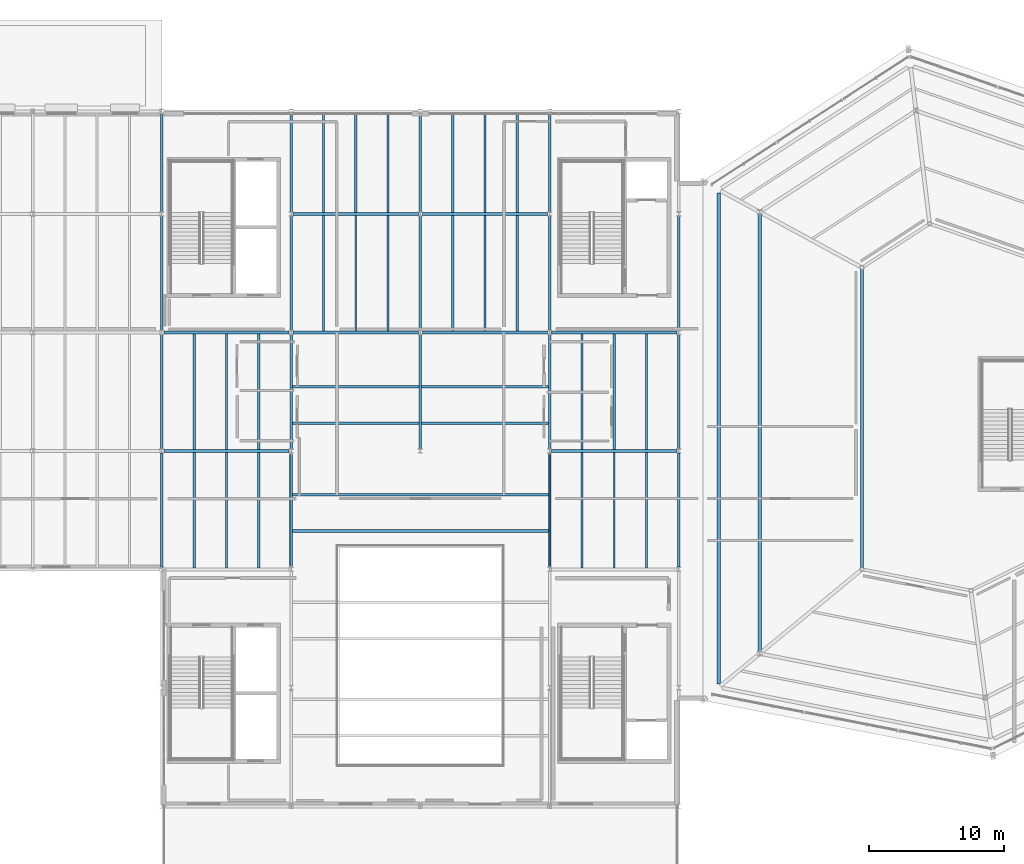
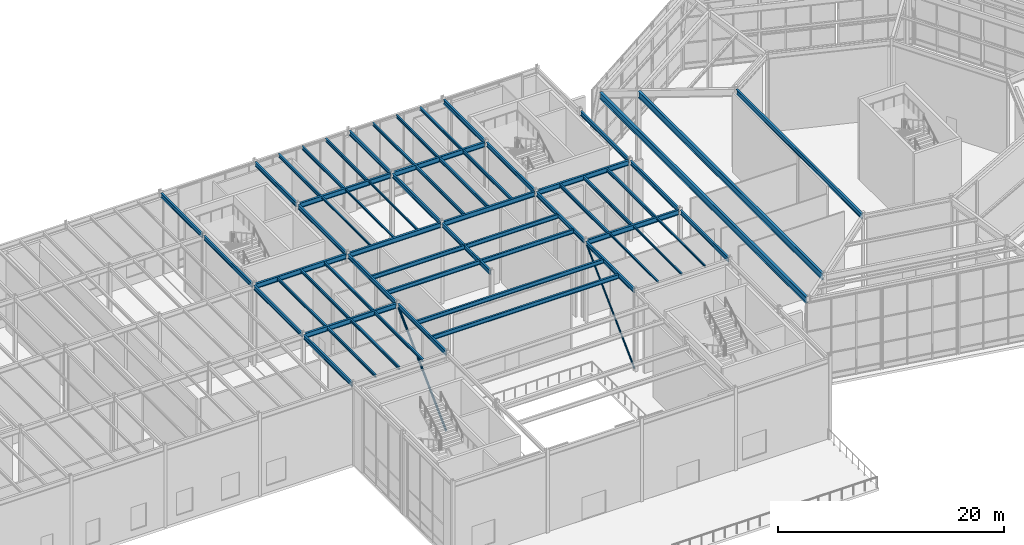
# One storey, part 16 of 48: 57 beams, 2 members.
"""IFC4 building model written with IfcOpenShell, lengths in metres."""

from ifc_helpers import new_model, si_unit, direction, frame, origin, origin_2d, place, context, subcontext, project, spatial, hollow_circle, i_section, extrude, material, material_profile, profile_set, type_object, element, save


model = new_model("IFC4")

# Units and contexts
model_context = context("Model", 3, precision=1e-05, world=origin(), true_north=direction((0.0, 1.0)))
body_context = subcontext(model_context, "Body", "Model", "MODEL_VIEW")
ifc_project = project(units=[si_unit("LENGTHUNIT", "METRE"), si_unit("AREAUNIT", "SQUARE_METRE"), si_unit("VOLUMEUNIT", "CUBIC_METRE"), si_unit("PLANEANGLEUNIT", "RADIAN"), si_unit("MASSUNIT", "GRAM", prefix="KILO")], contexts=[model_context])

# Site, building, storey
site_placement = place(None, origin())
site = spatial("IfcSite", under=ifc_project, at=site_placement, CompositionType="ELEMENT")
building_placement = place(site_placement, origin())
building = spatial("IfcBuilding", under=site, at=building_placement, Name="Sarnbrook Museum", CompositionType="ELEMENT")
storey_placement = place(building_placement, frame((0.0, 0.0, 19.10009765625)))
storey = spatial("IfcBuildingStorey", under=building, at=storey_placement, Name="L04", CompositionType="ELEMENT", Elevation=19.10009765625)

# Beams
ifc_material_1 = material(Name="Structural Steel Grade 300PLUS (AS/NZS 3679.1, fy = 280 MPa for 17 < t <= 40 mm, 300 MPa for t <= 17 mm)", Category="steel")
ifc_material_profile_1 = material_profile(ifc_material_1, i_section(OverallWidth=0.18994140625, OverallDepth=0.45703125, WebThickness=0.009033203125, FlangeThickness=0.014404296875, FilletRadius=0.011474609375, at=origin_2d()), Name="460UB74.6")
ifc_profile_set_1 = profile_set([ifc_material_profile_1], Name="Structural Steel Grade 300PLUS (AS/NZS 3679.1, fy = 280 MPa for 17 < t <= 40 mm, 300 MPa for t <= 17 mm)")
beam_type_1 = type_object("IfcBeamType", Name="BM-UB460", PredefinedType="BEAM", material=ifc_profile_set_1)
beam_1_placement = place(storey_placement, frame((80.800048828125, 74.5576171875, 8.521484375), z_axis=(0.0, 1.0, 0.0), x_axis=(-1.0, 0.0, 0.0)))
element("IfcBeam", 1, at=beam_1_placement, inside=storey, type_object=beam_type_1, Name="Girder 9:J-K L04", PredefinedType="BEAM", context=body_context, shape_type="SweptSolid", body=[
    extrude(i_section(OverallWidth=0.18994140625, OverallDepth=0.45703125, WebThickness=0.009033203125, FlangeThickness=0.014404296875, FilletRadius=0.011474609375, at=origin_2d()), origin(), (0.0, 0.0, 1.0), 8.48486328125),
])
for number, where, z_axis, x_axis, name in (
    (2, (80.800048828125, 83.357421875, 8.521484375), (0.0, 1.0, 0.0), (-1.0, 0.0, 0.0), "Girder 9:K-L L04"),
    (3, (80.800048828125, 92.157470703125, 8.521484375), (0.0, 1.0, 0.0), (-1.0, 0.0, 0.0), "Girder 9:L-M L04"),
):
    element("IfcBeam", number, at=place(storey_placement, frame(where, z_axis=z_axis, x_axis=x_axis)), inside=storey, type_object=beam_type_1, Name=name, PredefinedType="BEAM", context=body_context, shape_type="SweptSolid", body=[
        extrude(i_section(OverallWidth=0.18994140625, OverallDepth=0.45703125, WebThickness=0.009033203125, FlangeThickness=0.014404296875, FilletRadius=0.011474609375, at=origin_2d()), origin(), (0.0, 0.0, 1.0), 8.485107421875),
    ])
beam_2_placement = place(storey_placement, frame((80.800048828125, 100.95751953125, 8.521484375), z_axis=(0.0, 1.0, 0.0), x_axis=(-1.0, 0.0, 0.0)))
element("IfcBeam", 4, at=beam_2_placement, inside=storey, type_object=beam_type_1, Name="Girder 9:M-N L04", PredefinedType="BEAM", context=body_context, shape_type="SweptSolid", body=[
    extrude(i_section(OverallWidth=0.18994140625, OverallDepth=0.45703125, WebThickness=0.009033203125, FlangeThickness=0.014404296875, FilletRadius=0.011474609375, at=origin_2d()), origin(), (0.0, 0.0, 1.0), 7.284912109375),
])
beam_3_placement = place(storey_placement, frame((90.39990234375, 74.5576171875, 8.521484375), z_axis=(0.0, 1.0, 0.0), x_axis=(-1.0, 0.0, 0.0)))
element("IfcBeam", 5, at=beam_3_placement, inside=storey, type_object=beam_type_1, Name="Girder 10:J-K L04", PredefinedType="BEAM", context=body_context, shape_type="SweptSolid", body=[
    extrude(i_section(OverallWidth=0.18994140625, OverallDepth=0.45703125, WebThickness=0.009033203125, FlangeThickness=0.014404296875, FilletRadius=0.011474609375, at=origin_2d()), origin(), (0.0, 0.0, 1.0), 8.48486328125),
])
for number, where, z_axis, x_axis, name in (
    (6, (90.39990234375, 83.357421875, 8.521484375), (0.0, 1.0, 0.0), (-1.0, 0.0, 0.0), "Girder 10:K-L L04"),
    (7, (90.39990234375, 92.157470703125, 8.521484375), (0.0, 1.0, 0.0), (-1.0, 0.0, 0.0), "Girder 10:L-M L04"),
):
    element("IfcBeam", number, at=place(storey_placement, frame(where, z_axis=z_axis, x_axis=x_axis)), inside=storey, type_object=beam_type_1, Name=name, PredefinedType="BEAM", context=body_context, shape_type="SweptSolid", body=[
        extrude(i_section(OverallWidth=0.18994140625, OverallDepth=0.45703125, WebThickness=0.009033203125, FlangeThickness=0.014404296875, FilletRadius=0.011474609375, at=origin_2d()), origin(), (0.0, 0.0, 1.0), 8.485107421875),
    ])
beam_4_placement = place(storey_placement, frame((90.39990234375, 100.95751953125, 8.521484375), z_axis=(0.0, 1.0, 0.0), x_axis=(-1.0, 0.0, 0.0)))
element("IfcBeam", 8, at=beam_4_placement, inside=storey, type_object=beam_type_1, Name="Girder 10:M-N L04", PredefinedType="BEAM", context=body_context, shape_type="SweptSolid", body=[
    extrude(i_section(OverallWidth=0.18994140625, OverallDepth=0.45703125, WebThickness=0.009033203125, FlangeThickness=0.014404296875, FilletRadius=0.011474609375, at=origin_2d()), origin(), (0.0, 0.0, 1.0), 7.284912109375),
])
for number, where, z_axis, x_axis, name in (
    (9, (100.0, 83.357421875, 8.521484375), (0.0, 1.0, 0.0), (-1.0, 0.0, 0.0), "Girder 11:K-L L04"),
    (10, (100.0, 92.157470703125, 8.521484375), (0.0, 1.0, 0.0), (-1.0, 0.0, 0.0), "Girder 11:L-M L04"),
):
    element("IfcBeam", number, at=place(storey_placement, frame(where, z_axis=z_axis, x_axis=x_axis)), inside=storey, type_object=beam_type_1, Name=name, PredefinedType="BEAM", context=body_context, shape_type="SweptSolid", body=[
        extrude(i_section(OverallWidth=0.18994140625, OverallDepth=0.45703125, WebThickness=0.009033203125, FlangeThickness=0.014404296875, FilletRadius=0.011474609375, at=origin_2d()), origin(), (0.0, 0.0, 1.0), 8.485107421875),
    ])
beam_5_placement = place(storey_placement, frame((100.0, 100.95751953125, 8.521484375), z_axis=(0.0, 1.0, 0.0), x_axis=(-1.0, 0.0, 0.0)))
element("IfcBeam", 11, at=beam_5_placement, inside=storey, type_object=beam_type_1, Name="Girder 11:M-N L04", PredefinedType="BEAM", context=body_context, shape_type="SweptSolid", body=[
    extrude(i_section(OverallWidth=0.18994140625, OverallDepth=0.45703125, WebThickness=0.009033203125, FlangeThickness=0.014404296875, FilletRadius=0.011474609375, at=origin_2d()), origin(), (0.0, 0.0, 1.0), 7.284912109375),
])
beam_6_placement = place(storey_placement, frame((109.60009765625, 74.5576171875, 8.521484375), z_axis=(0.0, 1.0, 0.0), x_axis=(-1.0, 0.0, 0.0)))
element("IfcBeam", 12, at=beam_6_placement, inside=storey, type_object=beam_type_1, Name="Girder 12:J-K L04", PredefinedType="BEAM", context=body_context, shape_type="SweptSolid", body=[
    extrude(i_section(OverallWidth=0.18994140625, OverallDepth=0.45703125, WebThickness=0.009033203125, FlangeThickness=0.014404296875, FilletRadius=0.011474609375, at=origin_2d()), origin(), (0.0, 0.0, 1.0), 8.48486328125),
])
for number, where, z_axis, x_axis, name in (
    (13, (109.60009765625, 83.357421875, 8.521484375), (0.0, 1.0, 0.0), (-1.0, 0.0, 0.0), "Girder 12:K-L L04"),
    (14, (109.60009765625, 92.157470703125, 8.521484375), (0.0, 1.0, 0.0), (-1.0, 0.0, 0.0), "Girder 12:L-M L04"),
):
    element("IfcBeam", number, at=place(storey_placement, frame(where, z_axis=z_axis, x_axis=x_axis)), inside=storey, type_object=beam_type_1, Name=name, PredefinedType="BEAM", context=body_context, shape_type="SweptSolid", body=[
        extrude(i_section(OverallWidth=0.18994140625, OverallDepth=0.45703125, WebThickness=0.009033203125, FlangeThickness=0.014404296875, FilletRadius=0.011474609375, at=origin_2d()), origin(), (0.0, 0.0, 1.0), 8.485107421875),
    ])
beam_7_placement = place(storey_placement, frame((109.60009765625, 100.95751953125, 8.521484375), z_axis=(0.0, 1.0, 0.0), x_axis=(-1.0, 0.0, 0.0)))
element("IfcBeam", 15, at=beam_7_placement, inside=storey, type_object=beam_type_1, Name="Girder 12:M-N L04", PredefinedType="BEAM", context=body_context, shape_type="SweptSolid", body=[
    extrude(i_section(OverallWidth=0.18994140625, OverallDepth=0.45703125, WebThickness=0.009033203125, FlangeThickness=0.014404296875, FilletRadius=0.011474609375, at=origin_2d()), origin(), (0.0, 0.0, 1.0), 7.284912109375),
])
beam_8_placement = place(storey_placement, frame((119.199951171875, 74.5576171875, 8.521484375), z_axis=(0.0, 1.0, 0.0), x_axis=(-1.0, 0.0, 0.0)))
element("IfcBeam", 16, at=beam_8_placement, inside=storey, type_object=beam_type_1, Name="Girder 13:J-K L04", PredefinedType="BEAM", context=body_context, shape_type="SweptSolid", body=[
    extrude(i_section(OverallWidth=0.18994140625, OverallDepth=0.45703125, WebThickness=0.009033203125, FlangeThickness=0.014404296875, FilletRadius=0.011474609375, at=origin_2d()), origin(), (0.0, 0.0, 1.0), 8.48486328125),
])
for number, where, z_axis, x_axis, name in (
    (17, (119.199951171875, 83.357421875, 8.521484375), (0.0, 1.0, 0.0), (-1.0, 0.0, 0.0), "Girder 13:K-L L04"),
    (18, (119.199951171875, 92.157470703125, 8.521484375), (0.0, 1.0, 0.0), (-1.0, 0.0, 0.0), "Girder 13:L-M L04"),
):
    element("IfcBeam", number, at=place(storey_placement, frame(where, z_axis=z_axis, x_axis=x_axis)), inside=storey, type_object=beam_type_1, Name=name, PredefinedType="BEAM", context=body_context, shape_type="SweptSolid", body=[
        extrude(i_section(OverallWidth=0.18994140625, OverallDepth=0.45703125, WebThickness=0.009033203125, FlangeThickness=0.014404296875, FilletRadius=0.011474609375, at=origin_2d()), origin(), (0.0, 0.0, 1.0), 8.485107421875),
    ])
for number, where, z_axis, x_axis, name in (
    (19, (90.47998046875, 77.25, 8.52294921875), (1.0, 0.0, 0.0), (0.0, 1.0, 0.0), "Atrium Sawtooth Skylight Curb Girder 3-1 L04"),
    (20, (90.47998046875, 79.949951171875, 8.52294921875), (1.0, 0.0, 0.0), (0.0, 1.0, 0.0), "Atrium Sawtooth Skylight Curb Girder 3-2 L04"),
    (21, (90.47998046875, 85.25, 8.52294921875), (1.0, 0.0, 0.0), (0.0, 1.0, 0.0), "Atrium Sawtooth Skylight Curb Girder 4-1 L04"),
    (22, (90.47998046875, 87.949951171875, 8.52294921875), (1.0, 0.0, 0.0), (0.0, 1.0, 0.0), "Atrium Sawtooth Skylight Curb Girder 4-2 L04"),
):
    element("IfcBeam", number, at=place(storey_placement, frame(where, z_axis=z_axis, x_axis=x_axis)), inside=storey, type_object=beam_type_1, Name=name, PredefinedType="BEAM", context=body_context, shape_type="SweptSolid", body=[
        extrude(i_section(OverallWidth=0.18994140625, OverallDepth=0.45703125, WebThickness=0.009033203125, FlangeThickness=0.014404296875, FilletRadius=0.011474609375, at=origin_2d()), origin(), (0.0, 0.0, 1.0), 19.0400390625),
    ])
ifc_material_profile_2 = material_profile(ifc_material_1, i_section(OverallWidth=0.208984375, OverallDepth=0.532958984375, WebThickness=0.01025390625, FlangeThickness=0.015625, FilletRadius=0.013916015625, at=origin_2d()), Name="530UB92.4")
ifc_profile_set_2 = profile_set([ifc_material_profile_2], Name="Structural Steel Grade 300PLUS (AS/NZS 3679.1, fy = 280 MPa for 17 < t <= 40 mm, 300 MPa for t <= 17 mm)")
beam_type_2 = type_object("IfcBeamType", Name="BM-UB530", PredefinedType="BEAM", material=ifc_profile_set_2)
for number, where, z_axis, x_axis, name in (
    (23, (80.95361328125, 83.199951171875, 8.4833984375), (1.0, 0.0, 0.0), (0.0, 1.0, 0.0), "Girder K:9-10 L04"),
    (24, (109.75341796875, 83.199951171875, 8.4833984375), (1.0, 0.0, 0.0), (0.0, 1.0, 0.0), "Girder K:12-13 L04"),
    (25, (80.95361328125, 92.0, 8.4833984375), (1.0, 0.0, 0.0), (0.0, 1.0, 0.0), "Girder L:9-10 L04"),
    (26, (90.553466796875, 92.0, 8.4833984375), (1.0, 0.0, 0.0), (0.0, 1.0, 0.0), "Girder L:10-11 L04"),
    (27, (100.153564453125, 92.0, 8.4833984375), (1.0, 0.0, 0.0), (0.0, 1.0, 0.0), "Girder L:11-12 L04"),
    (28, (109.75341796875, 92.0, 8.4833984375), (1.0, 0.0, 0.0), (0.0, 1.0, 0.0), "Girder L:12-13 L04"),
    (29, (90.553466796875, 100.800048828125, 8.4833984375), (1.0, 0.0, 0.0), (0.0, 1.0, 0.0), "Girder M:10-11 L04"),
    (30, (100.153564453125, 100.800048828125, 8.4833984375), (1.0, 0.0, 0.0), (0.0, 1.0, 0.0), "Girder M:11-12 L04"),
):
    element("IfcBeam", number, at=place(storey_placement, frame(where, z_axis=z_axis, x_axis=x_axis)), inside=storey, type_object=beam_type_2, Name=name, PredefinedType="BEAM", context=body_context, shape_type="SweptSolid", body=[
        extrude(i_section(OverallWidth=0.208984375, OverallDepth=0.532958984375, WebThickness=0.01025390625, FlangeThickness=0.015625, FilletRadius=0.013916015625, at=origin_2d()), origin(), (0.0, 0.0, 1.0), 9.29296875),
    ])
beam_9_placement = place(storey_placement, frame((132.800048828125, 96.692138671875, 8.473388671875), z_axis=(0.0, -1.0, 0.0), x_axis=(1.0, 0.0, 0.0)))
element("IfcBeam", 31, at=beam_9_placement, inside=storey, type_object=beam_type_2, Name="Crystal Hall R2 Ring Girder 7 L04", PredefinedType="BEAM", context=body_context, shape_type="SweptSolid", body=[
    extrude(i_section(OverallWidth=0.208984375, OverallDepth=0.532958984375, WebThickness=0.01025390625, FlangeThickness=0.015625, FilletRadius=0.013916015625, at=origin_2d()), origin(), (0.0, 0.0, 1.0), 22.1669921875),
])
ifc_material_2 = material(Name="Structural Steel Grade 350L0 (AS/NZS 3678, fy = 340 MPa for 20 < t <= 40 mm)", Category="steel")
ifc_material_profile_3 = material_profile(ifc_material_2, i_section(OverallWidth=0.25, OverallDepth=0.699951171875, WebThickness=0.010009765625, FlangeThickness=0.01611328125, at=origin_2d()), Name="700WB130")
ifc_profile_set_3 = profile_set([ifc_material_profile_3], Name="Structural Steel Grade 350L0 (AS/NZS 3678, fy = 340 MPa for 20 < t <= 40 mm)")
beam_type_3 = type_object("IfcBeamType", Name="BM-WB700", PredefinedType="BEAM", material=ifc_profile_set_3)
beam_10_placement = place(storey_placement, frame((122.162109375, 102.3408203125, 8.389892578125), z_axis=(0.0, -1.0, 0.0), x_axis=(1.0, 0.0, 0.0)))
element("IfcBeam", 32, at=beam_10_placement, inside=storey, type_object=beam_type_3, Name="Crystal Hall Perimeter Ring Girder 7 L04", PredefinedType="BEAM", context=body_context, shape_type="SweptSolid", body=[
    extrude(i_section(OverallWidth=0.25, OverallDepth=0.699951171875, WebThickness=0.010009765625, FlangeThickness=0.01611328125, at=origin_2d()), origin(), (0.0, 0.0, 1.0), 36.4501953125),
])
beam_11_placement = place(storey_placement, frame((125.199951171875, 100.780517578125, 8.389892578125), z_axis=(0.0, -1.0, 0.0), x_axis=(1.0, 0.0, 0.0)))
element("IfcBeam", 33, at=beam_11_placement, inside=storey, type_object=beam_type_3, Name="Crystal Hall R1 Ring Girder 7 L04", PredefinedType="BEAM", context=body_context, shape_type="SweptSolid", body=[
    extrude(i_section(OverallWidth=0.25, OverallDepth=0.699951171875, WebThickness=0.010009765625, FlangeThickness=0.01611328125, at=origin_2d()), origin(), (0.0, 0.0, 1.0), 32.47705078125),
])
ifc_material_profile_4 = material_profile(ifc_material_1, i_section(OverallWidth=0.134033203125, OverallDepth=0.20703125, WebThickness=0.00634765625, FlangeThickness=0.009521484375, FilletRadius=0.0087890625, at=origin_2d()), Name="200UB29.8")
ifc_profile_set_4 = profile_set([ifc_material_profile_4], Name="Structural Steel Grade 300PLUS (AS/NZS 3679.1, fy = 280 MPa for 17 < t <= 40 mm, 300 MPa for t <= 17 mm)")
beam_type_4 = type_object("IfcBeamType", Name="JS-UB200", PredefinedType="JOIST", material=ifc_profile_set_4)
for number, where, z_axis, x_axis, name in (
    (34, (92.800048828125, 92.1044921875, 8.646484375), (0.0, 1.0, 0.0), (-1.0, 0.0, 0.0), "Composite Floor Joist 10L-1 L04"),
    (35, (95.199951171875, 92.1044921875, 8.646484375), (0.0, 1.0, 0.0), (-1.0, 0.0, 0.0), "Composite Floor Joist 10L-2 L04"),
    (36, (97.60009765625, 92.1044921875, 8.646484375), (0.0, 1.0, 0.0), (-1.0, 0.0, 0.0), "Composite Floor Joist 10L-3 L04"),
    (37, (112.0, 74.50439453125, 8.646484375), (0.0, 1.0, 0.0), (-1.0, 0.0, 0.0), "Composite Floor Joist 12J-1 L04"),
    (38, (114.39990234375, 74.50439453125, 8.646484375), (0.0, 1.0, 0.0), (-1.0, 0.0, 0.0), "Composite Floor Joist 12J-2 L04"),
    (39, (116.800048828125, 74.50439453125, 8.646484375), (0.0, 1.0, 0.0), (-1.0, 0.0, 0.0), "Composite Floor Joist 12J-3 L04"),
):
    element("IfcBeam", number, at=place(storey_placement, frame(where, z_axis=z_axis, x_axis=x_axis)), inside=storey, type_object=beam_type_4, Name=name, PredefinedType="JOIST", context=body_context, shape_type="SweptSolid", body=[
        extrude(i_section(OverallWidth=0.134033203125, OverallDepth=0.20703125, WebThickness=0.00634765625, FlangeThickness=0.009521484375, FilletRadius=0.0087890625, at=origin_2d()), origin(), (0.0, 0.0, 1.0), 8.591064453125),
    ])
ifc_material_profile_5 = material_profile(ifc_material_1, i_section(OverallWidth=0.1650390625, OverallDepth=0.303955078125, WebThickness=0.006103515625, FlangeThickness=0.01025390625, FilletRadius=0.011474609375, at=origin_2d()), Name="310UB40.4")
ifc_profile_set_5 = profile_set([ifc_material_profile_5], Name="Structural Steel Grade 300PLUS (AS/NZS 3679.1, fy = 280 MPa for 17 < t <= 40 mm, 300 MPa for t <= 17 mm)")
beam_type_5 = type_object("IfcBeamType", Name="JS-UB310", PredefinedType="JOIST", material=ifc_profile_set_5)
for number, where, z_axis, x_axis, name in (
    (40, (83.199951171875, 83.304443359375, 8.597900390625), (0.0, 1.0, 0.0), (-1.0, 0.0, 0.0), "Composite Floor Joist 9K-1 L04"),
    (41, (85.60009765625, 83.304443359375, 8.597900390625), (0.0, 1.0, 0.0), (-1.0, 0.0, 0.0), "Composite Floor Joist 9K-2 L04"),
    (42, (88.0, 83.304443359375, 8.597900390625), (0.0, 1.0, 0.0), (-1.0, 0.0, 0.0), "Composite Floor Joist 9K-3 L04"),
):
    element("IfcBeam", number, at=place(storey_placement, frame(where, z_axis=z_axis, x_axis=x_axis)), inside=storey, type_object=beam_type_5, Name=name, PredefinedType="JOIST", context=body_context, shape_type="SweptSolid", body=[
        extrude(i_section(OverallWidth=0.1650390625, OverallDepth=0.303955078125, WebThickness=0.006103515625, FlangeThickness=0.01025390625, FilletRadius=0.011474609375, at=origin_2d()), origin(), (0.0, 0.0, 1.0), 8.591064453125),
    ])
ifc_material_profile_6 = material_profile(ifc_material_1, i_section(OverallWidth=0.166015625, OverallDepth=0.306884765625, WebThickness=0.006591796875, FlangeThickness=0.01171875, FilletRadius=0.011474609375, at=origin_2d()), Name="310UB46.2")
ifc_profile_set_6 = profile_set([ifc_material_profile_6], Name="Structural Steel Grade 300PLUS (AS/NZS 3679.1, fy = 280 MPa for 17 < t <= 40 mm, 300 MPa for t <= 17 mm)")
beam_type_6 = type_object("IfcBeamType", Name="JS-UB310H", PredefinedType="JOIST", material=ifc_profile_set_6)
for number, where, z_axis, x_axis, name in (
    (43, (83.199951171875, 74.50439453125, 8.596435546875), (0.0, 1.0, 0.0), (-1.0, 0.0, 0.0), "Composite Floor Joist 9J-1 L04"),
    (44, (85.60009765625, 74.50439453125, 8.596435546875), (0.0, 1.0, 0.0), (-1.0, 0.0, 0.0), "Composite Floor Joist 9J-2 L04"),
    (45, (88.0, 74.50439453125, 8.596435546875), (0.0, 1.0, 0.0), (-1.0, 0.0, 0.0), "Composite Floor Joist 9J-3 L04"),
):
    element("IfcBeam", number, at=place(storey_placement, frame(where, z_axis=z_axis, x_axis=x_axis)), inside=storey, type_object=beam_type_6, Name=name, PredefinedType="JOIST", context=body_context, shape_type="SweptSolid", body=[
        extrude(i_section(OverallWidth=0.166015625, OverallDepth=0.306884765625, WebThickness=0.006591796875, FlangeThickness=0.01171875, FilletRadius=0.011474609375, at=origin_2d()), origin(), (0.0, 0.0, 1.0), 8.591064453125),
    ])
for number, where, z_axis, x_axis, name in (
    (46, (102.39990234375, 100.904541015625, 8.596435546875), (0.0, 1.0, 0.0), (-1.0, 0.0, 0.0), "Composite Floor Joist 11M-1 L04"),
    (47, (104.800048828125, 100.904541015625, 8.596435546875), (0.0, 1.0, 0.0), (-1.0, 0.0, 0.0), "Composite Floor Joist 11M-2 L04"),
    (48, (107.199951171875, 100.904541015625, 8.596435546875), (0.0, 1.0, 0.0), (-1.0, 0.0, 0.0), "Composite Floor Joist 11M-3 L04"),
):
    element("IfcBeam", number, at=place(storey_placement, frame(where, z_axis=z_axis, x_axis=x_axis)), inside=storey, type_object=beam_type_6, Name=name, PredefinedType="JOIST", context=body_context, shape_type="SweptSolid", body=[
        extrude(i_section(OverallWidth=0.166015625, OverallDepth=0.306884765625, WebThickness=0.006591796875, FlangeThickness=0.01171875, FilletRadius=0.011474609375, at=origin_2d()), origin(), (0.0, 0.0, 1.0), 7.390869140625),
    ])
ifc_material_profile_7 = material_profile(ifc_material_1, i_section(OverallWidth=0.1708984375, OverallDepth=0.35595703125, WebThickness=0.00732421875, FlangeThickness=0.011474609375, FilletRadius=0.011474609375, at=origin_2d()), Name="360UB50.7")
ifc_profile_set_7 = profile_set([ifc_material_profile_7], Name="Structural Steel Grade 300PLUS (AS/NZS 3679.1, fy = 280 MPa for 17 < t <= 40 mm, 300 MPa for t <= 17 mm)")
beam_type_7 = type_object("IfcBeamType", Name="JS-UB360", PredefinedType="JOIST", material=ifc_profile_set_7)
for number, where, z_axis, x_axis, name in (
    (49, (92.800048828125, 100.904541015625, 8.572021484375), (0.0, 1.0, 0.0), (-1.0, 0.0, 0.0), "Composite Floor Joist 10M-1 L04"),
    (50, (95.199951171875, 100.904541015625, 8.572021484375), (0.0, 1.0, 0.0), (-1.0, 0.0, 0.0), "Composite Floor Joist 10M-2 L04"),
    (51, (97.60009765625, 100.904541015625, 8.572021484375), (0.0, 1.0, 0.0), (-1.0, 0.0, 0.0), "Composite Floor Joist 10M-3 L04"),
):
    element("IfcBeam", number, at=place(storey_placement, frame(where, z_axis=z_axis, x_axis=x_axis)), inside=storey, type_object=beam_type_7, Name=name, PredefinedType="JOIST", context=body_context, shape_type="SweptSolid", body=[
        extrude(i_section(OverallWidth=0.1708984375, OverallDepth=0.35595703125, WebThickness=0.00732421875, FlangeThickness=0.011474609375, FilletRadius=0.011474609375, at=origin_2d()), origin(), (0.0, 0.0, 1.0), 7.390869140625),
    ])
for number, where, z_axis, x_axis, name in (
    (52, (102.39990234375, 92.1044921875, 8.572021484375), (0.0, 1.0, 0.0), (-1.0, 0.0, 0.0), "Composite Floor Joist 11L-1 L04"),
    (53, (104.800048828125, 92.1044921875, 8.572021484375), (0.0, 1.0, 0.0), (-1.0, 0.0, 0.0), "Composite Floor Joist 11L-2 L04"),
    (54, (107.199951171875, 92.1044921875, 8.572021484375), (0.0, 1.0, 0.0), (-1.0, 0.0, 0.0), "Composite Floor Joist 11L-3 L04"),
    (55, (112.0, 83.304443359375, 8.572021484375), (0.0, 1.0, 0.0), (-1.0, 0.0, 0.0), "Composite Floor Joist 12K-1 L04"),
    (56, (114.39990234375, 83.304443359375, 8.572021484375), (0.0, 1.0, 0.0), (-1.0, 0.0, 0.0), "Composite Floor Joist 12K-2 L04"),
    (57, (116.800048828125, 83.304443359375, 8.572021484375), (0.0, 1.0, 0.0), (-1.0, 0.0, 0.0), "Composite Floor Joist 12K-3 L04"),
):
    element("IfcBeam", number, at=place(storey_placement, frame(where, z_axis=z_axis, x_axis=x_axis)), inside=storey, type_object=beam_type_7, Name=name, PredefinedType="JOIST", context=body_context, shape_type="SweptSolid", body=[
        extrude(i_section(OverallWidth=0.1708984375, OverallDepth=0.35595703125, WebThickness=0.00732421875, FlangeThickness=0.011474609375, FilletRadius=0.011474609375, at=origin_2d()), origin(), (0.0, 0.0, 1.0), 8.591064453125),
    ])

# Members
ifc_material_3 = material(Name="Structural Steel Hollow Section Grade C350L0 (AS/NZS 1163, fy = 350 MPa)", Category="steel")
ifc_material_profile_8 = material_profile(ifc_material_3, hollow_circle(Radius=0.084228515625, WallThickness=0.007080078125, at=origin_2d()), Name="168.3x7.1CHS")
ifc_profile_set_8 = profile_set([ifc_material_profile_8], Name="Structural Steel Hollow Section Grade C350L0 (AS/NZS 1163, fy = 350 MPa)")
member_type_1 = type_object("IfcMemberType", Name="MB-CHS168", PredefinedType="BRACE", material=ifc_profile_set_8)
member_1_placement = place(storey_placement, frame((109.60009765625, 74.580078125, 0.119873046875), z_axis=(0.0, 0.715956142846, 0.698145258181), x_axis=(-1.0, 0.0, 0.0)))
element("IfcMember", 58, at=member_1_placement, inside=storey, type_object=member_type_1, Name="Lateral Diagonal Brace CBF-4 L04", PredefinedType="BRACE", context=body_context, shape_type="SweptSolid", body=[
    extrude(hollow_circle(Radius=0.084228515625, WallThickness=0.007080078125, at=origin_2d()), origin(), (0.0, 0.0, 1.0), 11.788330078125),
])
ifc_material_profile_9 = material_profile(ifc_material_3, hollow_circle(Radius=0.109619140625, WallThickness=0.00830078125, at=origin_2d()), Name="219.1x8.2CHS")
ifc_profile_set_9 = profile_set([ifc_material_profile_9], Name="Structural Steel Hollow Section Grade C350L0 (AS/NZS 1163, fy = 350 MPa)")
member_type_2 = type_object("IfcMemberType", Name="MB-CHS219", PredefinedType="BRACE", material=ifc_profile_set_9)
member_2_placement = place(storey_placement, frame((90.39990234375, 74.580078125, 0.119873046875), z_axis=(0.0, 0.715956142846, 0.698145258181), x_axis=(-1.0, 0.0, 0.0)))
element("IfcMember", 59, at=member_2_placement, inside=storey, type_object=member_type_2, Name="Lateral Diagonal Brace CBF-3 L04", PredefinedType="BRACE", context=body_context, shape_type="SweptSolid", body=[
    extrude(hollow_circle(Radius=0.109619140625, WallThickness=0.00830078125, at=origin_2d()), origin(), (0.0, 0.0, 1.0), 11.788330078125),
])

save(model, "model.ifc")
